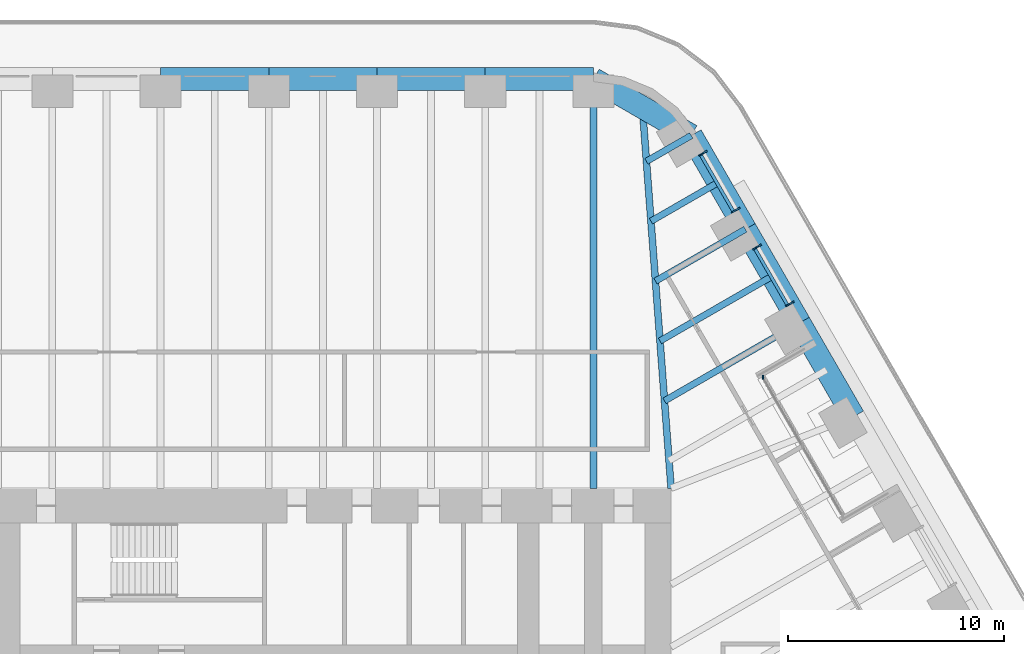
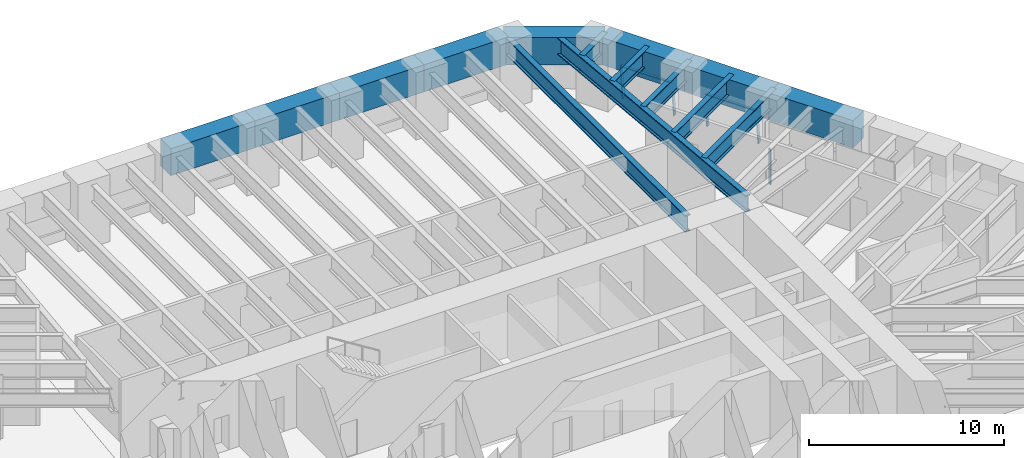
# One storey, part 9 of 19: 15 beams, 7 members, 3 elements without a shape of their own.
"""IFC4 building model written with IfcOpenShell, lengths in metres."""

from ifc_helpers import new_model, si_unit, direction, frame, origin, origin_2d, place, context, subcontext, project, spatial, rectangle, i_section, extrude, material, material_profile, profile_set, type_object, element, aggregate, save


model = new_model("IFC4")

# Units and contexts
model_context = context("Model", 3, precision=1e-05, world=origin(), true_north=direction((0.0, 1.0)))
body_context = subcontext(model_context, "Body", "Model", "MODEL_VIEW")
ifc_project = project(units=[si_unit("LENGTHUNIT", "METRE"), si_unit("AREAUNIT", "SQUARE_METRE"), si_unit("VOLUMEUNIT", "CUBIC_METRE"), si_unit("PLANEANGLEUNIT", "RADIAN"), si_unit("MASSUNIT", "GRAM", prefix="KILO")], contexts=[model_context])

# Site, building, storey
site_placement = place(None, origin())
site = spatial("IfcSite", under=ifc_project, at=site_placement, CompositionType="ELEMENT")
building_placement = place(site_placement, origin())
building = spatial("IfcBuilding", under=site, at=building_placement, Name="Tarfa Lantern Tower", CompositionType="ELEMENT")
storey_placement = place(building_placement, frame((0.0, 0.0, 199.300048828125)))
storey = spatial("IfcBuildingStorey", under=building, at=storey_placement, Name="L45", CompositionType="ELEMENT", Elevation=199.300048828125)

# Curtain wall, members
ifc_material_1 = material(Name="Aluminium framed curtain wall", Category="aluminium")
curtain_wall_type_1 = type_object("IfcCurtainWallType", Name="CW2 CANTED GLAZING MID ZONE 2200", PredefinedType="USERDEFINED", material=ifc_material_1)
curtain_wall_1_placement = place(storey_placement, origin())
curtain_wall_1 = element("IfcCurtainWall", 1, at=curtain_wall_1_placement, inside=storey, type_object=curtain_wall_type_1, Name="CW2 NEB L45", ObjectType="CURTAIN WALL", PredefinedType="USERDEFINED")
ifc_material_2 = material(Name="Aluminium mullion", Category="aluminium")
ifc_material_profile_1 = material_profile(ifc_material_2, rectangle(XDim=0.06494140625, YDim=0.199951171875, at=origin_2d()), Name="AL MULLION 65x200")
ifc_profile_set_1 = profile_set([ifc_material_profile_1], Name="Aluminium mullion")
member_type_1 = type_object("IfcMemberType", Name="CWM1 MULLION 65x200", PredefinedType="MULLION", material=ifc_profile_set_1)
member_1_placement = place(storey_placement, frame((24.2001953125, 20.88427734375, 0.0), z_axis=(-0.097805549444, -0.056455965406, 0.993602938033), x_axis=(0.499919672301, -0.866071776036, 0.0)))
member_1 = element("IfcMember", 2, at=member_1_placement, type_object=member_type_1, Name="CW2 mullion 1", PredefinedType="MULLION", context=body_context, shape_type="SweptSolid", body=[
    extrude(rectangle(XDim=0.06494140625, YDim=0.199951171875, at=origin_2d()), origin(), (0.0, 0.0, 1.0), 2.214111328125),
])
member_2_placement = place(storey_placement, frame((22.6806640625, 23.515869140625, 0.0), z_axis=(-0.097696336912, -0.056456573927, 0.99361364776), x_axis=(0.500342721131, -0.865827443207, 0.0)))
member_2 = element("IfcMember", 3, at=member_2_placement, type_object=member_type_1, Name="CW2 mullion 2", PredefinedType="MULLION", context=body_context, shape_type="SweptSolid", body=[
    extrude(rectangle(XDim=0.06494140625, YDim=0.199951171875, at=origin_2d()), origin(), (0.0, 0.0, 1.0), 2.214111328125),
])

curtain_wall_2_placement = place(storey_placement, origin())
curtain_wall_2 = element("IfcCurtainWall", 4, at=curtain_wall_2_placement, inside=storey, type_object=curtain_wall_type_1, Name="CW2 NEB L45", ObjectType="CURTAIN WALL", PredefinedType="USERDEFINED")
member_3_placement = place(storey_placement, frame((21.6982421875, 25.217529296875, 0.0), z_axis=(-0.097805549444, -0.056455965406, 0.993602938033), x_axis=(0.499919672301, -0.866071776036, 0.0)))
member_3 = element("IfcMember", 5, at=member_3_placement, type_object=member_type_1, Name="CW2 mullion 1", PredefinedType="MULLION", context=body_context, shape_type="SweptSolid", body=[
    extrude(rectangle(XDim=0.06494140625, YDim=0.199951171875, at=origin_2d()), origin(), (0.0, 0.0, 1.0), 2.214111328125),
])
member_4_placement = place(storey_placement, frame((20.178955078125, 27.84912109375, 0.0), z_axis=(-0.097805549444, -0.056455965406, 0.993602938033), x_axis=(0.499919672301, -0.866071776036, 0.0)))
member_4 = element("IfcMember", 6, at=member_4_placement, type_object=member_type_1, Name="CW2 mullion 2", PredefinedType="MULLION", context=body_context, shape_type="SweptSolid", body=[
    extrude(rectangle(XDim=0.06494140625, YDim=0.199951171875, at=origin_2d()), origin(), (0.0, 0.0, 1.0), 2.214111328125),
])

# Curtain wall, member
curtain_wall_type_2 = type_object("IfcCurtainWallType", Name="CW10 LOGGIA GLAZING 2200", PredefinedType="USERDEFINED", material=ifc_material_1)
curtain_wall_3_placement = place(storey_placement, origin())
curtain_wall_3 = element("IfcCurtainWall", 7, at=curtain_wall_3_placement, inside=storey, type_object=curtain_wall_type_2, Name="CW10 NEL L45", ObjectType="CURTAIN WALL", PredefinedType="USERDEFINED")
member_5_placement = place(storey_placement, frame((22.84619140625, 17.429443359375, 0.0), z_axis=(0.0, 0.0, 1.0), x_axis=(1.0, 0.0, 0.0)))
member_5 = element("IfcMember", 8, at=member_5_placement, type_object=member_type_1, Name="CW10 mullion 3", PredefinedType="MULLION", context=body_context, shape_type="SweptSolid", body=[
    extrude(rectangle(XDim=0.06494140625, YDim=0.199951171875, at=origin_2d()), origin(), (0.0, 0.0, 1.0), 2.199951171875),
])
aggregate(curtain_wall_3, [member_5])

# Member
ifc_material_3 = material(Name="Aluminium transom", Category="aluminium")
ifc_material_profile_2 = material_profile(ifc_material_3, rectangle(XDim=0.14990234375, YDim=0.06494140625, at=origin_2d()), Name="AL TRANSOM 150x65")
ifc_profile_set_2 = profile_set([ifc_material_profile_2], Name="Aluminium transom")
member_type_2 = type_object("IfcMemberType", Name="CWT1 TRANSOM 150x65", PredefinedType="USERDEFINED", material=ifc_profile_set_2)
member_6_placement = place(storey_placement, frame((23.970458984375, 20.789306640625, 2.16748046875), z_axis=(-0.500006734102, 0.866021515814, 0.0), x_axis=(-0.866021515814, -0.500006734102, 0.0)))
member_6 = element("IfcMember", 9, at=member_6_placement, type_object=member_type_2, Name="CW2 transom 1.2", ObjectType="TRANSOM", PredefinedType="USERDEFINED", context=body_context, shape_type="SweptSolid", body=[
    extrude(rectangle(XDim=0.14990234375, YDim=0.06494140625, at=origin_2d()), origin(), (0.0, 0.0, 1.0), 2.9736328125),
])

aggregate(curtain_wall_1, [member_1, member_2, member_6])

member_7_placement = place(storey_placement, frame((21.46875, 25.12255859375, 2.16748046875), z_axis=(-0.500006734102, 0.866021515814, 0.0), x_axis=(-0.866021515814, -0.500006734102, 0.0)))
member_7 = element("IfcMember", 10, at=member_7_placement, type_object=member_type_2, Name="CW2 transom 1.2", ObjectType="TRANSOM", PredefinedType="USERDEFINED", context=body_context, shape_type="SweptSolid", body=[
    extrude(rectangle(XDim=0.14990234375, YDim=0.06494140625, at=origin_2d()), origin(), (0.0, 0.0, 1.0), 2.9736328125),
])

aggregate(curtain_wall_2, [member_3, member_4, member_7])

# Beams
ifc_material_4 = material(Name="Concrete C80/95", Category="concrete")
ifc_material_profile_3 = material_profile(ifc_material_4, rectangle(XDim=1.050048828125, YDim=1.699951171875, at=origin_2d()), Name="RC 1050x1700")
ifc_profile_set_3 = profile_set([ifc_material_profile_3], Name="Concrete C80/95")
beam_type_1 = type_object("IfcBeamType", Name="RB2 RC 1050x1700", PredefinedType="BEAM", material=ifc_profile_set_3)
for number, where, z_axis, x_axis, name in (
    (11, (27.037353515625, 15.610107421875, 3.050048828125), (-0.500022324899, 0.866012514114, 0.0), (-0.866012514114, -0.500022324899, 0.0), "Edge beam NE3"),
    (12, (24.535400390625, 19.943359375, 3.050048828125), (-0.49998573051, 0.866033642122, 0.0), (-0.866033642122, -0.49998573051, 0.0), "Edge beam NE4"),
):
    element("IfcBeam", number, at=place(storey_placement, frame(where, z_axis=z_axis, x_axis=x_axis)), inside=storey, type_object=beam_type_1, Name=name, PredefinedType="BEAM", context=body_context, shape_type="SweptSolid", body=[
        extrude(rectangle(XDim=1.050048828125, YDim=1.699951171875, at=origin_2d()), origin(), (0.0, 0.0, 1.0), 5.003662109375),
    ])
beam_1_placement = place(storey_placement, frame((22.03369140625, 24.276611328125, 3.050048828125), z_axis=(-0.500001197378, 0.866024712477, 0.0), x_axis=(-0.866024712477, -0.500001197378, 0.0)))
element("IfcBeam", 13, at=beam_1_placement, inside=storey, type_object=beam_type_1, Name="Edge beam NE5", PredefinedType="BEAM", context=body_context, shape_type="SweptSolid", body=[
    extrude(rectangle(XDim=1.050048828125, YDim=1.699951171875, at=origin_2d()), origin(), (0.0, 0.0, 1.0), 5.00390625),
])
beam_2_placement = place(storey_placement, frame((19.53173828125, 28.610107421875, 3.050048828125), z_axis=(-0.86604150238, 0.499972115377, 0.0), x_axis=(-0.499972115377, -0.86604150238, 0.0)))
element("IfcBeam", 14, at=beam_2_placement, inside=storey, type_object=beam_type_1, Name="Edge beam NE6", PredefinedType="BEAM", context=body_context, shape_type="SweptSolid", body=[
    extrude(rectangle(XDim=1.050048828125, YDim=1.699951171875, at=origin_2d()), origin(), (0.0, 0.0, 1.0), 5.219970703125),
])
for number, where, z_axis, x_axis, name in (
    (15, (15.010986328125, 31.219970703125, 3.050048828125), (-1.0, 0.0, 0.0), (0.0, -1.0, 0.0), "Edge beam N0"),
    (16, (10.00732421875, 31.219970703125, 3.050048828125), (-1.0, 0.0, 0.0), (0.0, -1.0, 0.0), "Edge beam N1"),
    (17, (5.003662109375, 31.219970703125, 3.050048828125), (-1.0, 0.0, 0.0), (0.0, -1.0, 0.0), "Edge beam N2"),
    (18, (0.0, 31.219970703125, 3.050048828125), (-1.0, 0.0, 0.0), (0.0, -1.0, 0.0), "Edge beam N3"),
):
    element("IfcBeam", number, at=place(storey_placement, frame(where, z_axis=z_axis, x_axis=x_axis)), inside=storey, type_object=beam_type_1, Name=name, PredefinedType="BEAM", context=body_context, shape_type="SweptSolid", body=[
        extrude(rectangle(XDim=1.050048828125, YDim=1.699951171875, at=origin_2d()), origin(), (0.0, 0.0, 1.0), 5.003662109375),
    ])
ifc_material_5 = material(Name="Steel S460M", Category="steel")
ifc_material_profile_4 = material_profile(ifc_material_5, i_section(OverallWidth=0.302001953125, OverallDepth=1.008056640625, WebThickness=0.02099609375, FlangeThickness=0.0400390625, FilletRadius=0.030029296875, at=origin_2d()), Name="UB1016x305x349")
ifc_profile_set_4 = profile_set([ifc_material_profile_4], Name="Steel S460M")
beam_type_2 = type_object("IfcBeamType", Name="UB1016x305x349", PredefinedType="BEAM", material=ifc_profile_set_4)
beam_3_placement = place(storey_placement, frame((24.535400390625, 19.943359375, 3.39599609375), z_axis=(-0.86602647304, -0.499998147991, 0.0), x_axis=(0.499998147991, -0.86602647304, 0.0)))
element("IfcBeam", 19, at=beam_3_placement, inside=storey, type_object=beam_type_2, Name="Floor beam NE4", PredefinedType="BEAM", context=body_context, shape_type="SweptSolid", body=[
    extrude(i_section(OverallWidth=0.302001953125, OverallDepth=1.008056640625, WebThickness=0.02099609375, FlangeThickness=0.0400390625, FilletRadius=0.030029296875, at=origin_2d()), origin(), (0.0, 0.0, 1.0), 7.20556640625),
])
beam_4_placement = place(storey_placement, frame((22.03369140625, 24.276611328125, 3.39599609375), z_axis=(-0.866030550462, -0.499991085587, 0.0), x_axis=(0.499991085587, -0.866030550462, 0.0)))
element("IfcBeam", 20, at=beam_4_placement, inside=storey, type_object=beam_type_2, Name="Floor beam NE5", PredefinedType="BEAM", context=body_context, shape_type="SweptSolid", body=[
    extrude(i_section(OverallWidth=0.302001953125, OverallDepth=1.008056640625, WebThickness=0.02099609375, FlangeThickness=0.0400390625, FilletRadius=0.030029296875, at=origin_2d()), origin(), (0.0, 0.0, 1.0), 4.798828125),
])
beam_5_placement = place(storey_placement, frame((19.53173828125, 28.610107421875, 3.39599609375), z_axis=(-0.865998640954, -0.500046351717, 0.0), x_axis=(0.500046351717, -0.865998640954, 0.0)))
element("IfcBeam", 21, at=beam_5_placement, inside=storey, type_object=beam_type_2, Name="Floor beam NE6", PredefinedType="BEAM", context=body_context, shape_type="SweptSolid", body=[
    extrude(i_section(OverallWidth=0.302001953125, OverallDepth=1.008056640625, WebThickness=0.02099609375, FlangeThickness=0.0400390625, FilletRadius=0.030029296875, at=origin_2d()), origin(), (0.0, 0.0, 1.0), 2.392333984375),
])
beam_6_placement = place(storey_placement, frame((23.284423828125, 22.110107421875, 3.39599609375), z_axis=(-0.866014212035, -0.500019384178, 0.0), x_axis=(0.500019384178, -0.866014212035, 0.0)))
element("IfcBeam", 22, at=beam_6_placement, inside=storey, type_object=beam_type_2, Name="Floor beam NE4M", PredefinedType="BEAM", context=body_context, shape_type="SweptSolid", body=[
    extrude(i_section(OverallWidth=0.302001953125, OverallDepth=1.008056640625, WebThickness=0.02099609375, FlangeThickness=0.0400390625, FilletRadius=0.030029296875, at=origin_2d()), origin(), (0.0, 0.0, 1.0), 6.002197265625),
])
beam_7_placement = place(storey_placement, frame((20.78271484375, 26.443359375, 3.39599609375), z_axis=(-0.866011447264, -0.500024172624, 0.0), x_axis=(0.500024172624, -0.866011447264, 0.0)))
element("IfcBeam", 23, at=beam_7_placement, inside=storey, type_object=beam_type_2, Name="Floor beam NE5M", PredefinedType="BEAM", context=body_context, shape_type="SweptSolid", body=[
    extrude(i_section(OverallWidth=0.302001953125, OverallDepth=1.008056640625, WebThickness=0.02099609375, FlangeThickness=0.0400390625, FilletRadius=0.030029296875, at=origin_2d()), origin(), (0.0, 0.0, 1.0), 3.595458984375),
])
ifc_material_profile_5 = material_profile(ifc_material_5, i_section(OverallWidth=0.314208984375, OverallDepth=1.055908203125, WebThickness=0.035888671875, FlangeThickness=0.06396484375, FilletRadius=0.030029296875, at=origin_2d()), Name="UB1016x305x584")
ifc_profile_set_5 = profile_set([ifc_material_profile_5], Name="Steel S460M")
beam_type_3 = type_object("IfcBeamType", Name="UB1016x305x584", PredefinedType="BEAM", material=ifc_profile_set_5)
beam_8_placement = place(storey_placement, frame((18.60009765625, 12.300048828125, 3.3720703125), z_axis=(-0.075211516041, 0.99716760269, 0.0), x_axis=(-0.99716760269, -0.075211516041, 0.0)))
element("IfcBeam", 24, at=beam_8_placement, inside=storey, type_object=beam_type_3, Name="Hip girder NE", PredefinedType="BEAM", context=body_context, shape_type="SweptSolid", body=[
    extrude(i_section(OverallWidth=0.314208984375, OverallDepth=1.055908203125, WebThickness=0.035888671875, FlangeThickness=0.06396484375, FilletRadius=0.030029296875, at=origin_2d()), origin(), (0.0, 0.0, 1.0), 17.6650390625),
])
beam_9_placement = place(storey_placement, frame((15.010986328125, 31.219970703125, 3.3720703125), z_axis=(0.0, -1.0, 0.0), x_axis=(1.0, 0.0, 0.0)))
element("IfcBeam", 25, at=beam_9_placement, inside=storey, type_object=beam_type_3, Name="Floor beam N0", PredefinedType="BEAM", context=body_context, shape_type="SweptSolid", body=[
    extrude(i_section(OverallWidth=0.314208984375, OverallDepth=1.055908203125, WebThickness=0.035888671875, FlangeThickness=0.06396484375, FilletRadius=0.030029296875, at=origin_2d()), origin(), (0.0, 0.0, 1.0), 18.919921875),
])

save(model, "model.ifc")
